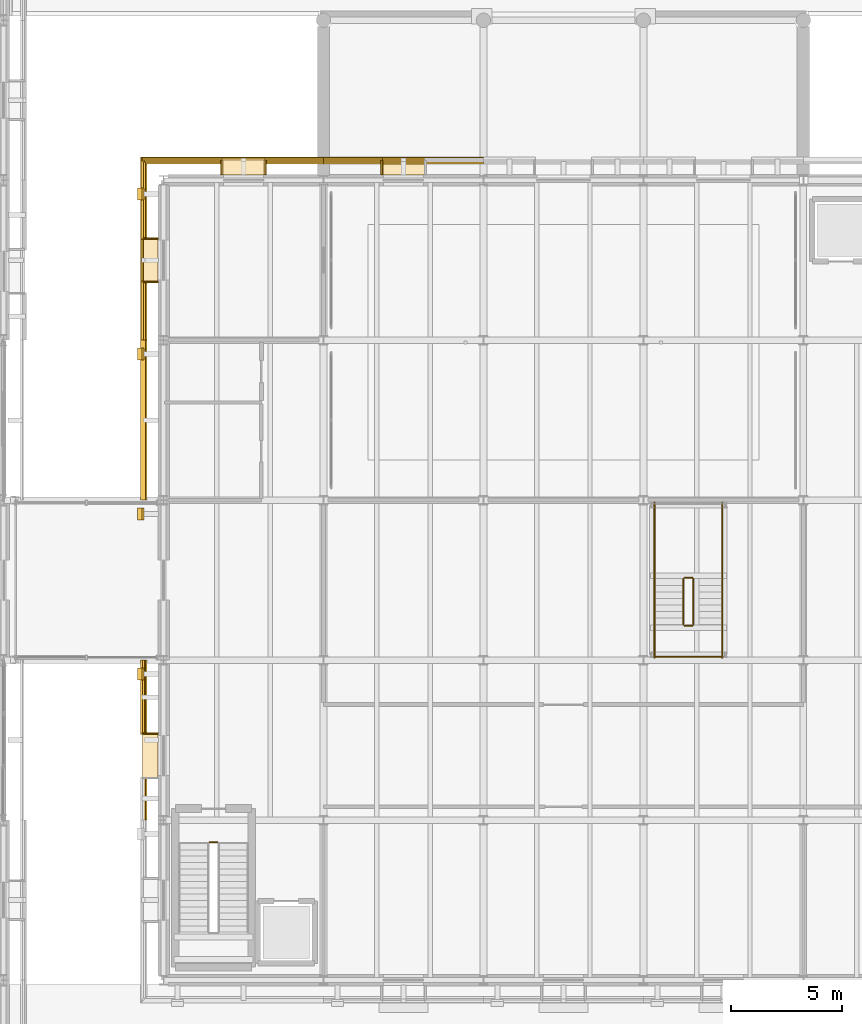
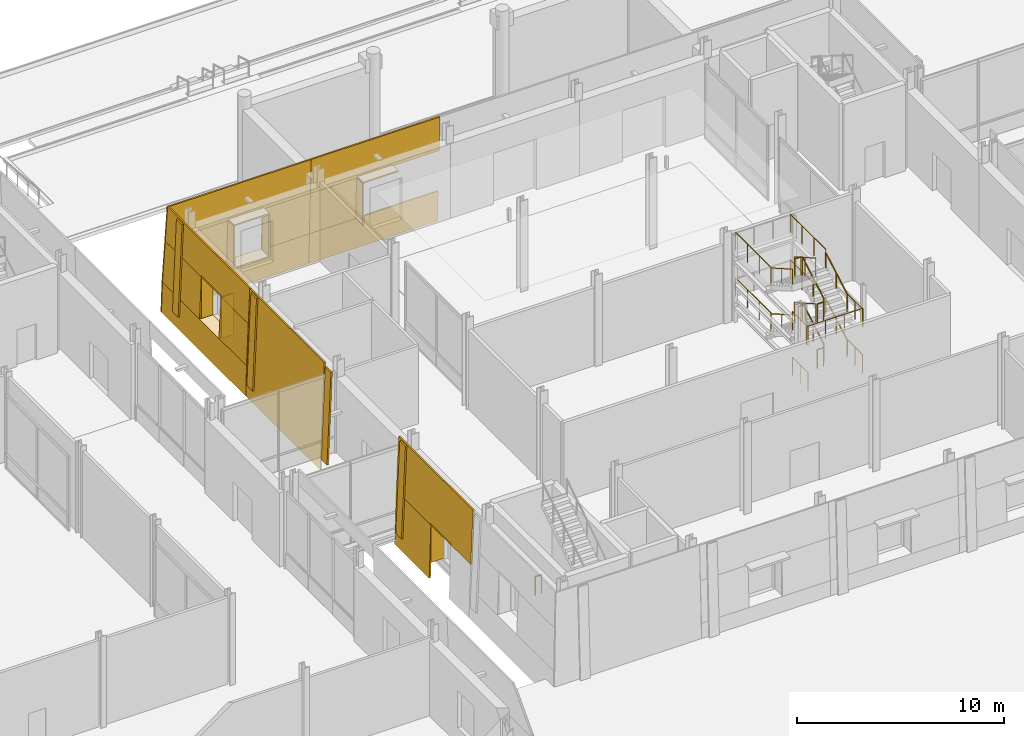
# One storey, part 112 of 120: 30 coverings, 22 railings.
"""IFC4 building model written with IfcOpenShell, lengths in metres."""

from ifc_helpers import new_model, si_unit, direction, frame, origin, origin_2d, place, context, subcontext, project, spatial, polyline, circle, outline, extrude, material, layer, layer_set, type_object, element, save


model = new_model("IFC4")

# Units and contexts
model_context = context("Model", 3, precision=1e-05, world=origin(), true_north=direction((0.0, 1.0)))
body_context = subcontext(model_context, "Body", "Model", "MODEL_VIEW")
ifc_project = project(units=[si_unit("LENGTHUNIT", "METRE"), si_unit("AREAUNIT", "SQUARE_METRE"), si_unit("VOLUMEUNIT", "CUBIC_METRE"), si_unit("PLANEANGLEUNIT", "RADIAN"), si_unit("MASSUNIT", "GRAM", prefix="KILO")], contexts=[model_context])

# Site, building, storey
site_placement = place(None, origin())
site = spatial("IfcSite", under=ifc_project, at=site_placement, CompositionType="ELEMENT")
building_placement = place(site_placement, origin())
building = spatial("IfcBuilding", under=site, at=building_placement, Name="Narikvali Park Central Library", CompositionType="ELEMENT")
storey_placement = place(building_placement, origin())
storey = spatial("IfcBuildingStorey", under=building, at=storey_placement, Name="L00", CompositionType="ELEMENT", Elevation=0.0)

# Coverings
ifc_material_1 = material(Name="White Honed Limestone Cladding", Category="masonry")
ifc_layer_1 = layer(ifc_material_1, 0.0849609375, Name="White Honed Limestone Cladding")
ifc_layer_set_1 = layer_set([ifc_layer_1], Name="White Honed Limestone Cladding")
covering_type_1 = type_object("IfcCoveringType", Name="Battered White Limestone Facade Cladding Panel", PredefinedType="CLADDING", material=ifc_layer_set_1)
covering_1_placement = place(storey_placement, frame((79.199951171875, 94.639892578125, -0.8798828125), z_axis=(0.0, 0.999788378597, 0.020571777337), x_axis=(-1.0, 0.0, 0.0)))
element("IfcCovering", 1, at=covering_1_placement, inside=storey, type_object=covering_type_1, Name="V1 L00 N Battered Limestone Spandrel B04", PredefinedType="CLADDING", context=body_context, shape_type="SweptSolid", body=[
    extrude(outline(polyline([(0.0, 0.0), (7.199951171875, 0.0), (7.199951171875, 1.7801618766042835), (0.0, 1.7801618766042835), (0.0, 0.0)])), origin(), (0.0, 0.0, -1.0), 0.0849609375),
])
covering_2_placement = place(storey_placement, frame((79.199951171875, 94.5029296875, 3.35009765625), z_axis=(0.0, 0.99916170734, 0.040937544941), x_axis=(-1.0, 0.0, 0.0)))
element("IfcCovering", 2, at=covering_2_placement, inside=storey, type_object=covering_type_1, Name="V1 L00 N Battered Limestone Lintel B04", PredefinedType="CLADDING", context=body_context, shape_type="SweptSolid", body=[
    extrude(outline(polyline([(0.0, 0.0), (7.199951171875, 0.0), (7.199951171875, 2.0515244654015494), (0.0, 2.0515244654015494), (0.0, 0.0)])), origin(), (0.0, 0.0, -1.0), 0.0849609375),
])
covering_3_placement = place(storey_placement, frame((74.659912109375, 94.603271484375, 0.89990234375), z_axis=(0.0, 0.999162496768, 0.040918272835), x_axis=(-1.0, 0.0, 0.0)))
element("IfcCovering", 3, at=covering_3_placement, inside=storey, type_object=covering_type_1, Name="V1 L00 N Battered Limestone Jamb Pier R B04", PredefinedType="CLADDING", context=body_context, shape_type="SweptSolid", body=[
    extrude(outline(polyline([(0.0, 0.0), (2.659912109375, 0.0), (2.659912109375, 2.4522490790286935), (0.0, 2.4522490790286935), (0.0, 0.0)])), origin(), (0.0, 0.0, -1.0), 0.0849609375),
])
covering_4_placement = place(storey_placement, frame((72.0, 94.639892578125, -0.8798828125), z_axis=(0.0, 0.999788378597, 0.020571777337), x_axis=(-1.0, 0.0, 0.0)))
element("IfcCovering", 4, at=covering_4_placement, inside=storey, type_object=covering_type_1, Name="V1 L00 N Battered Limestone Spandrel B05", PredefinedType="CLADDING", context=body_context, shape_type="SweptSolid", body=[
    extrude(outline(polyline([(0.0, 0.0), (8.239990234375, 0.0), (8.203125, 1.7801618766042833), (0.0, 1.7801618766042833), (0.0, 0.0)])), origin(), (0.0, 0.0, -1.0), 0.0849609375),
])
covering_5_placement = place(storey_placement, frame((72.0, 94.5029296875, 3.35009765625), z_axis=(0.0, 0.99916170734, 0.040937544941), x_axis=(-1.0, 0.0, 0.0)))
element("IfcCovering", 5, at=covering_5_placement, inside=storey, type_object=covering_type_1, Name="V1 L00 N Battered Limestone Lintel B05", PredefinedType="CLADDING", context=body_context, shape_type="SweptSolid", body=[
    extrude(outline(polyline([(0.0, 0.0), (8.102783203125, 0.0), (8.01904296875, 2.05152446540155), (0.0, 2.05152446540155), (0.0, 0.0)])), origin(), (0.0, 0.0, -1.0), 0.0849609375),
])
covering_6_placement = place(storey_placement, frame((72.0, 94.603271484375, 0.89990234375), z_axis=(0.0, 0.999162496768, 0.040918272835), x_axis=(-1.0, 0.0, 0.0)))
element("IfcCovering", 6, at=covering_6_placement, inside=storey, type_object=covering_type_1, Name="V1 L00 N Battered Limestone Jamb Pier L B05", PredefinedType="CLADDING", context=body_context, shape_type="SweptSolid", body=[
    extrude(outline(polyline([(0.0, 0.0), (2.659912109375, 0.0), (2.659912109375, 2.4522490790286935), (0.0, 2.4522490790286935), (0.0, 0.0)])), origin(), (0.0, 0.0, -1.0), 0.0849609375),
])
covering_7_placement = place(storey_placement, frame((67.4599609375, 94.603271484375, 0.89990234375), z_axis=(0.0, 0.999162496768, 0.040918272835), x_axis=(-1.0, 0.0, 0.0)))
element("IfcCovering", 7, at=covering_7_placement, inside=storey, type_object=covering_type_1, Name="V1 L00 N Battered Limestone Jamb Pier R B05", PredefinedType="CLADDING", context=body_context, shape_type="SweptSolid", body=[
    extrude(outline(polyline([(0.0, 0.0), (3.6630859375, 0.0), (3.562744140625, 2.4522490790286935), (0.0, 2.4522490790286935), (0.0, 0.0)])), origin(), (0.0, 0.0, -1.0), 0.0849609375),
])
covering_8_placement = place(storey_placement, frame((63.6201171875, 93.25, 0.0), z_axis=(-0.999163953268, 0.0, 0.040882691821), x_axis=(0.0, -1.0, 0.0)))
element("IfcCovering", 8, at=covering_8_placement, inside=storey, type_object=covering_type_1, Name="V1 L00 W Classical Limestone Pilaster B01", PredefinedType="CLADDING", context=body_context, shape_type="SweptSolid", body=[
    extrude(outline(polyline([(0.0, 0.0), (0.550048828125, 0.0), (0.550048828125, 5.40442069200982), (0.0, 5.40442069200982), (0.0, 0.0)])), origin(), (0.0, 0.0, -1.0), 0.0849609375),
])
covering_9_placement = place(storey_placement, frame((63.760009765625, 94.554931640625, -0.8798828125), z_axis=(-0.999785548483, 0.0, 0.020708863899), x_axis=(0.0, -1.0, 0.0)))
element("IfcCovering", 9, at=covering_9_placement, inside=storey, type_object=covering_type_1, Name="V1 L00 W Battered Limestone Spandrel B01", PredefinedType="CLADDING", context=body_context, shape_type="SweptSolid", body=[
    extrude(outline(polyline([(0.0, 0.0), (8.155029296875, 0.0), (8.155029296875, 1.7801669157450828), (0.03662109375, 1.7801669157450828), (0.0, 0.0)])), origin(), (0.0, 0.0, -1.0), 0.0849609375),
])
covering_10_placement = place(storey_placement, frame((63.897216796875, 94.41796875, 3.35009765625), z_axis=(-0.999166567968, 0.0, 0.04081873902), x_axis=(0.0, -1.0, 0.0)))
element("IfcCovering", 10, at=covering_10_placement, inside=storey, type_object=covering_type_1, Name="V1 L00 W Battered Limestone Lintel B01", PredefinedType="CLADDING", context=body_context, shape_type="SweptSolid", body=[
    extrude(outline(polyline([(0.0, 0.0), (8.01806640625, 0.0), (8.01806640625, 2.0515144853863823), (0.083984375, 2.0515144853863823), (0.0, 0.0)])), origin(), (0.0, 0.0, -1.0), 0.0849609375),
])
covering_11_placement = place(storey_placement, frame((63.796875, 94.518310546875, 0.89990234375), z_axis=(-0.999162496768, 0.0, 0.040918272835), x_axis=(0.0, -1.0, 0.0)))
element("IfcCovering", 11, at=covering_11_placement, inside=storey, type_object=covering_type_1, Name="V1 L00 W Battered Limestone Jamb Pier L B01", PredefinedType="CLADDING", context=body_context, shape_type="SweptSolid", body=[
    extrude(outline(polyline([(0.0, 0.0), (3.578369140625, 0.0), (3.578369140625, 2.452249079028694), (0.100341796875, 2.452249079028694), (0.0, 0.0)])), origin(), (0.0, 0.0, -1.0), 0.0849609375),
])
covering_12_placement = place(storey_placement, frame((63.796875, 89.06005859375, 0.89990234375), z_axis=(-0.999162496768, 0.0, 0.040918272835), x_axis=(0.0, -1.0, 0.0)))
element("IfcCovering", 12, at=covering_12_placement, inside=storey, type_object=covering_type_1, Name="V1 L00 W Battered Limestone Jamb Pier R B01", PredefinedType="CLADDING", context=body_context, shape_type="SweptSolid", body=[
    extrude(outline(polyline([(0.0, 0.0), (2.66015625, 0.0), (2.66015625, 2.4522490790286935), (0.0, 2.4522490790286935), (0.0, 0.0)])), origin(), (0.0, 0.0, -1.0), 0.0849609375),
])
covering_13_placement = place(storey_placement, frame((63.6201171875, 86.050048828125, 0.0), z_axis=(-0.999163953268, 0.0, 0.040882691821), x_axis=(0.0, -1.0, 0.0)))
element("IfcCovering", 13, at=covering_13_placement, inside=storey, type_object=covering_type_1, Name="V1 L00 W Classical Limestone Pilaster B02", PredefinedType="CLADDING", context=body_context, shape_type="SweptSolid", body=[
    extrude(outline(polyline([(0.0, 0.0), (0.550048828125, 0.0), (0.550048828125, 5.40442069200982), (0.0, 5.40442069200982), (0.0, 0.0)])), origin(), (0.0, 0.0, -1.0), 0.0849609375),
])
covering_14_placement = place(storey_placement, frame((63.760009765625, 86.39990234375, -0.8798828125), z_axis=(-0.99938162103, 0.0, 0.0351621323), x_axis=(0.0, -1.0, 0.0)))
element("IfcCovering", 14, at=covering_14_placement, inside=storey, type_object=covering_type_1, Name="V1 L00 W Battered Limestone Panel B02", PredefinedType="CLADDING", context=body_context, shape_type="SweptSolid", body=[
    extrude(outline(polyline([(0.0, 0.0), (7.199951171875, 0.0), (7.199951171875, 6.283670846157125), (0.0, 6.283670846157125), (0.0, 0.0)])), origin(), (0.0, 0.0, -1.0), 0.0849609375),
])
covering_15_placement = place(storey_placement, frame((63.6201171875, 78.85009765625, 0.0), z_axis=(-0.999163953268, 0.0, 0.040882691821), x_axis=(0.0, -1.0, 0.0)))
element("IfcCovering", 15, at=covering_15_placement, inside=storey, type_object=covering_type_1, Name="V1 L00 W Classical Limestone Pilaster B03", PredefinedType="CLADDING", context=body_context, shape_type="SweptSolid", body=[
    extrude(outline(polyline([(0.0, 0.0), (0.550048828125, 0.0), (0.550048828125, 5.40442069200982), (0.0, 5.40442069200982), (0.0, 0.0)])), origin(), (0.0, 0.0, -1.0), 0.0849609375),
])
covering_16_placement = place(storey_placement, frame((63.6201171875, 71.64990234375, 0.0), z_axis=(-0.999163953268, 0.0, 0.040882691821), x_axis=(0.0, -1.0, 0.0)))
element("IfcCovering", 16, at=covering_16_placement, inside=storey, type_object=covering_type_1, Name="V1 L00 W Classical Limestone Pilaster B04", PredefinedType="CLADDING", context=body_context, shape_type="SweptSolid", body=[
    extrude(outline(polyline([(0.0, 0.0), (0.5498046875, 0.0), (0.5498046875, 5.40442069200982), (0.0, 5.40442069200982), (0.0, 0.0)])), origin(), (0.0, 0.0, -1.0), 0.0849609375),
])
covering_17_placement = place(storey_placement, frame((63.760009765625, 72.0, -0.8798828125), z_axis=(-0.999567416371, 0.0, 0.029410544531), x_axis=(0.0, -1.0, 0.0)))
element("IfcCovering", 17, at=covering_17_placement, inside=storey, type_object=covering_type_1, Name="V1 L00 W Battered Portal Pier L B04", PredefinedType="CLADDING", context=body_context, shape_type="SweptSolid", body=[
    extrude(outline(polyline([(0.0, 0.0), (3.340087890625, 0.0), (3.340087890625, 3.121223236950036), (0.0, 3.121223236950036), (0.0, 0.0)])), origin(), (0.0, 0.0, -1.0), 0.0849609375),
])
covering_18_placement = place(storey_placement, frame((63.851806640625, 72.0, 2.239990234375), z_axis=(-0.999165804675, 0.0, 0.040837418734), x_axis=(0.0, -1.0, 0.0)))
element("IfcCovering", 18, at=covering_18_placement, inside=storey, type_object=covering_type_1, Name="V1 L00 W Battered Portal Header B04", PredefinedType="CLADDING", context=body_context, shape_type="SweptSolid", body=[
    extrude(outline(polyline([(0.0, 0.0), (7.199951171875, 0.0), (7.199951171875, 3.1625502940464605), (0.0, 3.1625502940464605), (0.0, 0.0)])), origin(), (0.0, 0.0, -1.0), 0.0849609375),
])
ifc_layer_2 = layer(ifc_material_1, 0.080078125, Name="White Honed Limestone Cladding")
ifc_layer_set_2 = layer_set([ifc_layer_2], Name="White Honed Limestone Cladding")
covering_type_2 = type_object("IfcCoveringType", Name="Deep Carved White Limestone Window Reveal", PredefinedType="CLADDING", material=ifc_layer_set_2)
covering_19_placement = place(storey_placement, frame((0.0, 0.0, 3.35009765625)))
element("IfcCovering", 19, at=covering_19_placement, inside=storey, type_object=covering_type_2, Name="Deep Stone Reveal Head V1-RVL-L00-N-B04", PredefinedType="CLADDING", context=body_context, shape_type="SweptSolid", body=[
    extrude(outline(polyline([(76.580078125, 93.844970703125), (74.6201171875, 93.844970703125), (74.6201171875, 94.5029296875), (76.580078125, 94.5029296875), (76.580078125, 93.844970703125)])), origin(), (0.0, 0.0, 1.0), 0.079833984375),
])
covering_20_placement = place(storey_placement, frame((0.0, 0.0, 0.89990234375)))
element("IfcCovering", 20, at=covering_20_placement, inside=storey, type_object=covering_type_2, Name="Deep Stone Reveal Jamb R V1-RVL-L00-N-B04", PredefinedType="CLADDING", context=body_context, shape_type="SweptSolid", body=[
    extrude(outline(polyline([(74.659912109375, 93.844970703125), (74.580078125, 93.844970703125), (74.580078125, 94.5029296875), (74.659912109375, 94.5029296875), (74.659912109375, 93.844970703125)])), origin(), (0.0, 0.0, 1.0), 2.4501953125),
])
covering_21_placement = place(storey_placement, frame((0.0, 0.0, 3.35009765625)))
element("IfcCovering", 21, at=covering_21_placement, inside=storey, type_object=covering_type_2, Name="Deep Stone Reveal Head V1-RVL-L00-N-B05", PredefinedType="CLADDING", context=body_context, shape_type="SweptSolid", body=[
    extrude(outline(polyline([(69.3798828125, 93.844970703125), (67.419921875, 93.844970703125), (67.419921875, 94.5029296875), (69.3798828125, 94.5029296875), (69.3798828125, 93.844970703125)])), origin(), (0.0, 0.0, 1.0), 0.079833984375),
])
covering_22_placement = place(storey_placement, frame((0.0, 0.0, 0.820068359375)))
element("IfcCovering", 22, at=covering_22_placement, inside=storey, type_object=covering_type_2, Name="Deep Stone Reveal Sill V1-RVL-L00-N-B05", PredefinedType="CLADDING", context=body_context, shape_type="SweptSolid", body=[
    extrude(outline(polyline([(69.3798828125, 93.844970703125), (67.419921875, 93.844970703125), (67.419921875, 94.603271484375), (69.3798828125, 94.603271484375), (69.3798828125, 93.844970703125)])), origin(), (0.0, 0.0, 1.0), 0.079833984375),
])
covering_23_placement = place(storey_placement, frame((0.0, 0.0, 0.89990234375)))
element("IfcCovering", 23, at=covering_23_placement, inside=storey, type_object=covering_type_2, Name="Deep Stone Reveal Jamb L V1-RVL-L00-N-B05", PredefinedType="CLADDING", context=body_context, shape_type="SweptSolid", body=[
    extrude(outline(polyline([(69.419921875, 93.844970703125), (69.340087890625, 93.844970703125), (69.340087890625, 94.5029296875), (69.419921875, 94.5029296875), (69.419921875, 93.844970703125)])), origin(), (0.0, 0.0, 1.0), 2.4501953125),
])
covering_24_placement = place(storey_placement, frame((0.0, 0.0, 0.89990234375)))
element("IfcCovering", 24, at=covering_24_placement, inside=storey, type_object=covering_type_2, Name="Deep Stone Reveal Jamb R V1-RVL-L00-N-B05", PredefinedType="CLADDING", context=body_context, shape_type="SweptSolid", body=[
    extrude(outline(polyline([(67.4599609375, 93.844970703125), (67.3798828125, 93.844970703125), (67.3798828125, 94.5029296875), (67.4599609375, 94.5029296875), (67.4599609375, 93.844970703125)])), origin(), (0.0, 0.0, 1.0), 2.4501953125),
])
covering_25_placement = place(storey_placement, frame((0.0, 0.0, 3.35009765625)))
element("IfcCovering", 25, at=covering_25_placement, inside=storey, type_object=covering_type_2, Name="Deep Stone Reveal Head V1-RVL-L00-W-B01", PredefinedType="CLADDING", context=body_context, shape_type="SweptSolid", body=[
    extrude(outline(polyline([(64.554931640625, 90.97998046875), (64.554931640625, 89.02001953125), (63.897216796875, 89.02001953125), (63.897216796875, 90.97998046875), (64.554931640625, 90.97998046875)])), origin(), (0.0, 0.0, 1.0), 0.079833984375),
])
covering_26_placement = place(storey_placement, frame((0.0, 0.0, 0.820068359375)))
element("IfcCovering", 26, at=covering_26_placement, inside=storey, type_object=covering_type_2, Name="Deep Stone Reveal Sill V1-RVL-L00-W-B01", PredefinedType="CLADDING", context=body_context, shape_type="SweptSolid", body=[
    extrude(outline(polyline([(64.554931640625, 90.97998046875), (64.554931640625, 89.02001953125), (63.796875, 89.02001953125), (63.796875, 90.97998046875), (64.554931640625, 90.97998046875)])), origin(), (0.0, 0.0, 1.0), 0.079833984375),
])
covering_27_placement = place(storey_placement, frame((0.0, 0.0, 0.89990234375)))
element("IfcCovering", 27, at=covering_27_placement, inside=storey, type_object=covering_type_2, Name="Deep Stone Reveal Jamb L V1-RVL-L00-W-B01", PredefinedType="CLADDING", context=body_context, shape_type="SweptSolid", body=[
    extrude(outline(polyline([(64.554931640625, 91.02001953125), (64.554931640625, 90.93994140625), (63.897216796875, 90.93994140625), (63.897216796875, 91.02001953125), (64.554931640625, 91.02001953125)])), origin(), (0.0, 0.0, 1.0), 2.4501953125),
])
covering_28_placement = place(storey_placement, frame((0.0, 0.0, 0.89990234375)))
element("IfcCovering", 28, at=covering_28_placement, inside=storey, type_object=covering_type_2, Name="Deep Stone Reveal Jamb R V1-RVL-L00-W-B01", PredefinedType="CLADDING", context=body_context, shape_type="SweptSolid", body=[
    extrude(outline(polyline([(64.554931640625, 89.06005859375), (64.554931640625, 88.97998046875), (63.897216796875, 88.97998046875), (63.897216796875, 89.06005859375), (64.554931640625, 89.06005859375)])), origin(), (0.0, 0.0, 1.0), 2.4501953125),
])
covering_29_placement = place(storey_placement, frame((0.0, 0.0, 2.239990234375)))
element("IfcCovering", 29, at=covering_29_placement, inside=storey, type_object=covering_type_2, Name="Deep Stone Reveal Head V1-RVL-L00-W-B04", PredefinedType="CLADDING", context=body_context, shape_type="SweptSolid", body=[
    extrude(outline(polyline([(64.554931640625, 68.699951171875), (64.554931640625, 66.699951171875), (63.851806640625, 66.699951171875), (63.851806640625, 68.699951171875), (64.554931640625, 68.699951171875)])), origin(), (0.0, 0.0, 1.0), 0.080078125),
])
covering_30_placement = place(storey_placement, frame((0.0, 0.0, 0.02001953125)))
element("IfcCovering", 30, at=covering_30_placement, inside=storey, type_object=covering_type_2, Name="Deep Stone Reveal Jamb L V1-RVL-L00-W-B04", PredefinedType="CLADDING", context=body_context, shape_type="SweptSolid", body=[
    extrude(outline(polyline([(64.554931640625, 68.739990234375), (64.554931640625, 68.659912109375), (63.851806640625, 68.659912109375), (63.851806640625, 68.739990234375), (64.554931640625, 68.739990234375)])), origin(), (0.0, 0.0, 1.0), 2.219970703125),
])

# Railings
ifc_material_2 = material(Name="Brushed Stainless Steel S355", Category="steel")
ifc_layer_3 = layer(ifc_material_2, 0.044921875, Name="Brushed Stainless Steel S355")
ifc_layer_set_3 = layer_set([ifc_layer_3], Name="Brushed Stainless Steel S355")
railing_type_1 = type_object("IfcRailingType", Name="Stair Tubular Steel Handrail 900", PredefinedType="HANDRAIL", material=ifc_layer_set_3)
railing_1_placement = place(storey_placement, frame((89.949951171875, 73.60009765625, 0.168701171875)))
element("IfcRailing", 31, at=railing_1_placement, inside=storey, type_object=railing_type_1, Name="L00 ST-13 stair handrail 1", PredefinedType="HANDRAIL", context=body_context, shape_type="SweptSolid", body=[
    extrude(circle(Radius=0.02392578125, at=origin_2d()), frame((0.0, 0.0, 0.8759765625), z_axis=(0.0, 0.867984098533, 0.496591990163), x_axis=(-1.0, 0.0, 0.0)), (0.0, 0.0, 1.0), 2.37890625),
    extrude(circle(Radius=0.02099609375, at=origin_2d()), origin(), (0.0, 0.0, 1.0), 0.851806640625),
    extrude(circle(Radius=0.02099609375, at=origin_2d()), frame((0.0, 1.032470703125, 0.5908203125)), (0.0, 0.0, 1.0), 0.851806640625),
    extrude(circle(Radius=0.02099609375, at=origin_2d()), frame((0.0, 2.06494140625, 1.181396484375)), (0.0, 0.0, 1.0), 0.851806640625),
])
railing_2_placement = place(storey_placement, frame((86.89990234375, 75.6650390625, 1.518798828125)))
element("IfcRailing", 32, at=railing_2_placement, inside=storey, type_object=railing_type_1, Name="L00 ST-13 stair handrail 2", PredefinedType="HANDRAIL", context=body_context, shape_type="SweptSolid", body=[
    extrude(circle(Radius=0.02392578125, at=origin_2d()), frame((0.0, 0.0, 0.8759765625), z_axis=(0.0, -0.868028331277, 0.496514668565), x_axis=(1.0, 0.0, 0.0)), (0.0, 0.0, 1.0), 2.37890625),
    extrude(circle(Radius=0.02099609375, at=origin_2d()), origin(), (0.0, 0.0, 1.0), 0.851806640625),
    extrude(circle(Radius=0.02099609375, at=origin_2d()), frame((0.0, -1.032470703125, 0.590576171875)), (0.0, 0.0, 1.0), 0.851806640625),
    extrude(circle(Radius=0.02099609375, at=origin_2d()), frame((0.0, -2.06494140625, 1.18115234375)), (0.0, 0.0, 1.0), 0.851806640625),
])
railing_3_placement = place(storey_placement, frame((89.949951171875, 73.60009765625, 2.86865234375)))
element("IfcRailing", 33, at=railing_3_placement, inside=storey, type_object=railing_type_1, Name="L00 ST-13 stair handrail 3", PredefinedType="HANDRAIL", context=body_context, shape_type="SweptSolid", body=[
    extrude(circle(Radius=0.02392578125, at=origin_2d()), frame((0.0, 0.0, 0.8759765625), z_axis=(0.0, 0.867984098533, 0.496591990163), x_axis=(-1.0, 0.0, 0.0)), (0.0, 0.0, 1.0), 2.37890625),
    extrude(circle(Radius=0.02099609375, at=origin_2d()), origin(), (0.0, 0.0, 1.0), 0.851806640625),
    extrude(circle(Radius=0.02099609375, at=origin_2d()), frame((0.0, 1.032470703125, 0.5908203125)), (0.0, 0.0, 1.0), 0.851806640625),
    extrude(circle(Radius=0.02099609375, at=origin_2d()), frame((0.0, 2.06494140625, 1.181396484375)), (0.0, 0.0, 1.0), 0.851806640625),
])
railing_4_placement = place(storey_placement, frame((86.89990234375, 75.6650390625, 4.21875)))
element("IfcRailing", 34, at=railing_4_placement, inside=storey, type_object=railing_type_1, Name="L00 ST-13 stair handrail 4", PredefinedType="HANDRAIL", context=body_context, shape_type="SweptSolid", body=[
    extrude(circle(Radius=0.02392578125, at=origin_2d()), frame((0.0, 0.0, 0.8759765625), z_axis=(0.0, -0.868028331277, 0.496514668565), x_axis=(1.0, 0.0, 0.0)), (0.0, 0.0, 1.0), 2.37890625),
    extrude(circle(Radius=0.02099609375, at=origin_2d()), origin(), (0.0, 0.0, 1.0), 0.851806640625),
    extrude(circle(Radius=0.02099609375, at=origin_2d()), frame((0.0, -1.032470703125, 0.590576171875)), (0.0, 0.0, 1.0), 0.851806640625),
    extrude(circle(Radius=0.02099609375, at=origin_2d()), frame((0.0, -2.06494140625, 1.18115234375)), (0.0, 0.0, 1.0), 0.851806640625),
])
ifc_material_3 = material(Name="Powder-Coated Steel S275", Category="steel")
ifc_layer_4 = layer(ifc_material_3, 0.050048828125, Name="Powder-Coated Steel S275")
ifc_layer_set_4 = layer_set([ifc_layer_4], Name="Powder-Coated Steel S275")
railing_type_2 = type_object("IfcRailingType", Name="Stair Well Steel Guardrail 1100", PredefinedType="GUARDRAIL", material=ifc_layer_set_4)
railing_5_placement = place(storey_placement, frame((66.8701171875, 63.800048828125, 0.0)))
element("IfcRailing", 35, at=railing_5_placement, inside=storey, type_object=railing_type_2, Name="L00 ST-01 stair guard 4", PredefinedType="GUARDRAIL", context=body_context, shape_type="SweptSolid", body=[
    extrude(circle(Radius=0.02392578125, at=origin_2d()), frame((0.0, 0.0, 1.076171875), z_axis=(1.0, 0.0, 0.0), x_axis=(0.0, 1.0, 0.0)), (0.0, 0.0, 1.0), 0.35986328125),
    extrude(circle(Radius=0.02099609375, at=origin_2d()), origin(), (0.0, 0.0, 1.0), 1.052001953125),
    extrude(circle(Radius=0.02099609375, at=origin_2d()), frame((0.35986328125, 0.0, 0.0)), (0.0, 0.0, 1.0), 1.052001953125),
])
railing_6_placement = place(storey_placement, frame((88.64990234375, 73.60009765625, 0.168701171875)))
element("IfcRailing", 36, at=railing_6_placement, inside=storey, type_object=railing_type_2, Name="L00 ST-13 stair guard 1", PredefinedType="GUARDRAIL", context=body_context, shape_type="SweptSolid", body=[
    extrude(circle(Radius=0.02392578125, at=origin_2d()), frame((0.0, 0.0, 1.076171875), z_axis=(0.0, 0.867984098533, 0.496591990163), x_axis=(-1.0, 0.0, 0.0)), (0.0, 0.0, 1.0), 2.37890625),
    extrude(circle(Radius=0.02099609375, at=origin_2d()), origin(), (0.0, 0.0, 1.0), 1.052001953125),
    extrude(circle(Radius=0.02099609375, at=origin_2d()), frame((0.0, 1.032470703125, 0.5908203125)), (0.0, 0.0, 1.0), 1.052001953125),
    extrude(circle(Radius=0.02099609375, at=origin_2d()), frame((0.0, 2.06494140625, 1.181396484375)), (0.0, 0.0, 1.0), 1.052001953125),
])
railing_7_placement = place(storey_placement, frame((88.60009765625, 75.715087890625, 1.35009765625)))
element("IfcRailing", 37, at=railing_7_placement, inside=storey, type_object=railing_type_2, Name="L00 ST-13 stair guard 2", PredefinedType="GUARDRAIL", context=body_context, shape_type="SweptSolid", body=[
    extrude(circle(Radius=0.02392578125, at=origin_2d()), frame((0.0, 0.0, 1.076171875), z_axis=(-1.0, 0.0, 0.0), x_axis=(0.0, -1.0, 0.0)), (0.0, 0.0, 1.0), 0.35009765625),
    extrude(circle(Radius=0.02099609375, at=origin_2d()), origin(), (0.0, 0.0, 1.0), 1.052001953125),
    extrude(circle(Radius=0.02099609375, at=origin_2d()), frame((-0.35009765625, 0.0, 0.0)), (0.0, 0.0, 1.0), 1.052001953125),
])
for number, where, name in (
    (38, (89.949951171875, 75.6650390625, 1.35009765625), "L00 ST-13 stair guard 3"),
    (39, (86.89990234375, 75.6650390625, 1.35009765625), "L00 ST-13 stair guard 4"),
):
    element("IfcRailing", number, at=place(storey_placement, frame(where)), inside=storey, type_object=railing_type_2, Name=name, PredefinedType="GUARDRAIL", context=body_context, shape_type="SweptSolid", body=[
        extrude(circle(Radius=0.02392578125, at=origin_2d()), frame((0.0, 0.0, 1.076171875), z_axis=(0.0, 1.0, 0.0), x_axis=(-1.0, 0.0, 0.0)), (0.0, 0.0, 1.0), 3.43505859375),
        extrude(circle(Radius=0.02099609375, at=origin_2d()), origin(), (0.0, 0.0, 1.0), 1.052001953125),
        extrude(circle(Radius=0.02099609375, at=origin_2d()), frame((0.0, 1.14501953125, 0.0)), (0.0, 0.0, 1.0), 1.052001953125),
        extrude(circle(Radius=0.02099609375, at=origin_2d()), frame((0.0, 2.2900390625, 0.0)), (0.0, 0.0, 1.0), 1.052001953125),
        extrude(circle(Radius=0.02099609375, at=origin_2d()), frame((0.0, 3.43505859375, 0.0)), (0.0, 0.0, 1.0), 1.052001953125),
    ])
railing_8_placement = place(storey_placement, frame((88.199951171875, 75.6650390625, 1.518798828125)))
element("IfcRailing", 40, at=railing_8_placement, inside=storey, type_object=railing_type_2, Name="L00 ST-13 stair guard 6", PredefinedType="GUARDRAIL", context=body_context, shape_type="SweptSolid", body=[
    extrude(circle(Radius=0.02392578125, at=origin_2d()), frame((0.0, 0.0, 1.076171875), z_axis=(0.0, -0.868028331277, 0.496514668565), x_axis=(1.0, 0.0, 0.0)), (0.0, 0.0, 1.0), 2.37890625),
    extrude(circle(Radius=0.02099609375, at=origin_2d()), origin(), (0.0, 0.0, 1.0), 1.052001953125),
    extrude(circle(Radius=0.02099609375, at=origin_2d()), frame((0.0, -1.032470703125, 0.590576171875)), (0.0, 0.0, 1.0), 1.052001953125),
    extrude(circle(Radius=0.02099609375, at=origin_2d()), frame((0.0, -2.06494140625, 1.18115234375)), (0.0, 0.0, 1.0), 1.052001953125),
])
railing_9_placement = place(storey_placement, frame((88.60009765625, 73.550048828125, 2.699951171875)))
element("IfcRailing", 41, at=railing_9_placement, inside=storey, type_object=railing_type_2, Name="L00 ST-13 stair guard 7", PredefinedType="GUARDRAIL", context=body_context, shape_type="SweptSolid", body=[
    extrude(circle(Radius=0.02392578125, at=origin_2d()), frame((0.0, 0.0, 1.076171875), z_axis=(-1.0, 0.0, 0.0), x_axis=(0.0, -1.0, 0.0)), (0.0, 0.0, 1.0), 0.35009765625),
    extrude(circle(Radius=0.02099609375, at=origin_2d()), origin(), (0.0, 0.0, 1.0), 1.052001953125),
    extrude(circle(Radius=0.02099609375, at=origin_2d()), frame((-0.35009765625, 0.0, 0.0)), (0.0, 0.0, 1.0), 1.052001953125),
])
for number, where, name in (
    (42, (89.949951171875, 72.10009765625, 2.699951171875), "L00 ST-13 stair guard 8"),
    (43, (86.89990234375, 72.10009765625, 2.699951171875), "L00 ST-13 stair guard 9"),
):
    element("IfcRailing", number, at=place(storey_placement, frame(where)), inside=storey, type_object=railing_type_2, Name=name, PredefinedType="GUARDRAIL", context=body_context, shape_type="SweptSolid", body=[
        extrude(circle(Radius=0.02392578125, at=origin_2d()), frame((0.0, 0.0, 1.076171875), z_axis=(0.0, 1.0, 0.0), x_axis=(-1.0, 0.0, 0.0)), (0.0, 0.0, 1.0), 1.5),
        extrude(circle(Radius=0.02099609375, at=origin_2d()), origin(), (0.0, 0.0, 1.0), 1.052001953125),
        extrude(circle(Radius=0.02099609375, at=origin_2d()), frame((0.0, 0.75, 0.0)), (0.0, 0.0, 1.0), 1.052001953125),
        extrude(circle(Radius=0.02099609375, at=origin_2d()), frame((0.0, 1.5, 0.0)), (0.0, 0.0, 1.0), 1.052001953125),
    ])
railing_10_placement = place(storey_placement, frame((88.64990234375, 73.60009765625, 2.86865234375)))
element("IfcRailing", 44, at=railing_10_placement, inside=storey, type_object=railing_type_2, Name="L00 ST-13 stair guard 10", PredefinedType="GUARDRAIL", context=body_context, shape_type="SweptSolid", body=[
    extrude(circle(Radius=0.02392578125, at=origin_2d()), frame((0.0, 0.0, 1.076171875), z_axis=(0.0, 0.867984098533, 0.496591990163), x_axis=(-1.0, 0.0, 0.0)), (0.0, 0.0, 1.0), 2.37890625),
    extrude(circle(Radius=0.02099609375, at=origin_2d()), origin(), (0.0, 0.0, 1.0), 1.052001953125),
    extrude(circle(Radius=0.02099609375, at=origin_2d()), frame((0.0, 1.032470703125, 0.5908203125)), (0.0, 0.0, 1.0), 1.052001953125),
    extrude(circle(Radius=0.02099609375, at=origin_2d()), frame((0.0, 2.06494140625, 1.181396484375)), (0.0, 0.0, 1.0), 1.052001953125),
])
railing_11_placement = place(storey_placement, frame((88.60009765625, 75.715087890625, 4.050048828125)))
element("IfcRailing", 45, at=railing_11_placement, inside=storey, type_object=railing_type_2, Name="L00 ST-13 stair guard 11", PredefinedType="GUARDRAIL", context=body_context, shape_type="SweptSolid", body=[
    extrude(circle(Radius=0.02392578125, at=origin_2d()), frame((0.0, 0.0, 1.076171875), z_axis=(-1.0, 0.0, 0.0), x_axis=(0.0, -1.0, 0.0)), (0.0, 0.0, 1.0), 0.35009765625),
    extrude(circle(Radius=0.02099609375, at=origin_2d()), origin(), (0.0, 0.0, 1.0), 1.052001953125),
    extrude(circle(Radius=0.02099609375, at=origin_2d()), frame((-0.35009765625, 0.0, 0.0)), (0.0, 0.0, 1.0), 1.052001953125),
])
for number, where, name in (
    (46, (89.949951171875, 75.6650390625, 4.050048828125), "L00 ST-13 stair guard 12"),
    (47, (86.89990234375, 75.6650390625, 4.050048828125), "L00 ST-13 stair guard 13"),
):
    element("IfcRailing", number, at=place(storey_placement, frame(where)), inside=storey, type_object=railing_type_2, Name=name, PredefinedType="GUARDRAIL", context=body_context, shape_type="SweptSolid", body=[
        extrude(circle(Radius=0.02392578125, at=origin_2d()), frame((0.0, 0.0, 1.076171875), z_axis=(0.0, 1.0, 0.0), x_axis=(-1.0, 0.0, 0.0)), (0.0, 0.0, 1.0), 3.43505859375),
        extrude(circle(Radius=0.02099609375, at=origin_2d()), origin(), (0.0, 0.0, 1.0), 1.052001953125),
        extrude(circle(Radius=0.02099609375, at=origin_2d()), frame((0.0, 1.14501953125, 0.0)), (0.0, 0.0, 1.0), 1.052001953125),
        extrude(circle(Radius=0.02099609375, at=origin_2d()), frame((0.0, 2.2900390625, 0.0)), (0.0, 0.0, 1.0), 1.052001953125),
        extrude(circle(Radius=0.02099609375, at=origin_2d()), frame((0.0, 3.43505859375, 0.0)), (0.0, 0.0, 1.0), 1.052001953125),
    ])
railing_12_placement = place(storey_placement, frame((88.199951171875, 75.6650390625, 4.21875)))
element("IfcRailing", 48, at=railing_12_placement, inside=storey, type_object=railing_type_2, Name="L00 ST-13 stair guard 15", PredefinedType="GUARDRAIL", context=body_context, shape_type="SweptSolid", body=[
    extrude(circle(Radius=0.02392578125, at=origin_2d()), frame((0.0, 0.0, 1.076171875), z_axis=(0.0, -0.868028331277, 0.496514668565), x_axis=(1.0, 0.0, 0.0)), (0.0, 0.0, 1.0), 2.37890625),
    extrude(circle(Radius=0.02099609375, at=origin_2d()), origin(), (0.0, 0.0, 1.0), 1.052001953125),
    extrude(circle(Radius=0.02099609375, at=origin_2d()), frame((0.0, -1.032470703125, 0.590576171875)), (0.0, 0.0, 1.0), 1.052001953125),
    extrude(circle(Radius=0.02099609375, at=origin_2d()), frame((0.0, -2.06494140625, 1.18115234375)), (0.0, 0.0, 1.0), 1.052001953125),
])
railing_13_placement = place(storey_placement, frame((88.60009765625, 73.550048828125, 0.0)))
element("IfcRailing", 49, at=railing_13_placement, inside=storey, type_object=railing_type_2, Name="L00 ST-13 stair guard 16", PredefinedType="GUARDRAIL", context=body_context, shape_type="SweptSolid", body=[
    extrude(circle(Radius=0.02392578125, at=origin_2d()), frame((0.0, 0.0, 1.076171875), z_axis=(-1.0, 0.0, 0.0), x_axis=(0.0, -1.0, 0.0)), (0.0, 0.0, 1.0), 0.35009765625),
    extrude(circle(Radius=0.02099609375, at=origin_2d()), origin(), (0.0, 0.0, 1.0), 1.052001953125),
    extrude(circle(Radius=0.02099609375, at=origin_2d()), frame((-0.35009765625, 0.0, 0.0)), (0.0, 0.0, 1.0), 1.052001953125),
])
for number, where, name in (
    (50, (89.949951171875, 72.10009765625, 0.0), "L00 ST-13 stair guard 17"),
    (51, (86.89990234375, 72.10009765625, 0.0), "L00 ST-13 stair guard 18"),
):
    element("IfcRailing", number, at=place(storey_placement, frame(where)), inside=storey, type_object=railing_type_2, Name=name, PredefinedType="GUARDRAIL", context=body_context, shape_type="SweptSolid", body=[
        extrude(circle(Radius=0.02392578125, at=origin_2d()), frame((0.0, 0.0, 1.076171875), z_axis=(0.0, 1.0, 0.0), x_axis=(-1.0, 0.0, 0.0)), (0.0, 0.0, 1.0), 1.5),
        extrude(circle(Radius=0.02099609375, at=origin_2d()), origin(), (0.0, 0.0, 1.0), 1.052001953125),
        extrude(circle(Radius=0.02099609375, at=origin_2d()), frame((0.0, 0.75, 0.0)), (0.0, 0.0, 1.0), 1.052001953125),
        extrude(circle(Radius=0.02099609375, at=origin_2d()), frame((0.0, 1.5, 0.0)), (0.0, 0.0, 1.0), 1.052001953125),
    ])
railing_14_placement = place(storey_placement, frame((86.85009765625, 72.14990234375, 2.699951171875)))
element("IfcRailing", 52, at=railing_14_placement, inside=storey, type_object=railing_type_2, Name="L00 ST-13 Intermediate Landing Guard", PredefinedType="GUARDRAIL", context=body_context, shape_type="SweptSolid", body=[
    extrude(circle(Radius=0.02392578125, at=origin_2d()), frame((0.0, 0.0, 1.076171875), z_axis=(1.0, 0.0, 0.0), x_axis=(0.0, 1.0, 0.0)), (0.0, 0.0, 1.0), 3.14990234375),
    extrude(circle(Radius=0.02099609375, at=origin_2d()), origin(), (0.0, 0.0, 1.0), 1.052001953125),
    extrude(circle(Radius=0.02099609375, at=origin_2d()), frame((1.050048828125, 0.0, 0.0)), (0.0, 0.0, 1.0), 1.052001953125),
    extrude(circle(Radius=0.02099609375, at=origin_2d()), frame((2.099853515625, 0.0, 0.0)), (0.0, 0.0, 1.0), 1.052001953125),
    extrude(circle(Radius=0.02099609375, at=origin_2d()), frame((3.14990234375, 0.0, 0.0)), (0.0, 0.0, 1.0), 1.052001953125),
])

save(model, "model.ifc")
